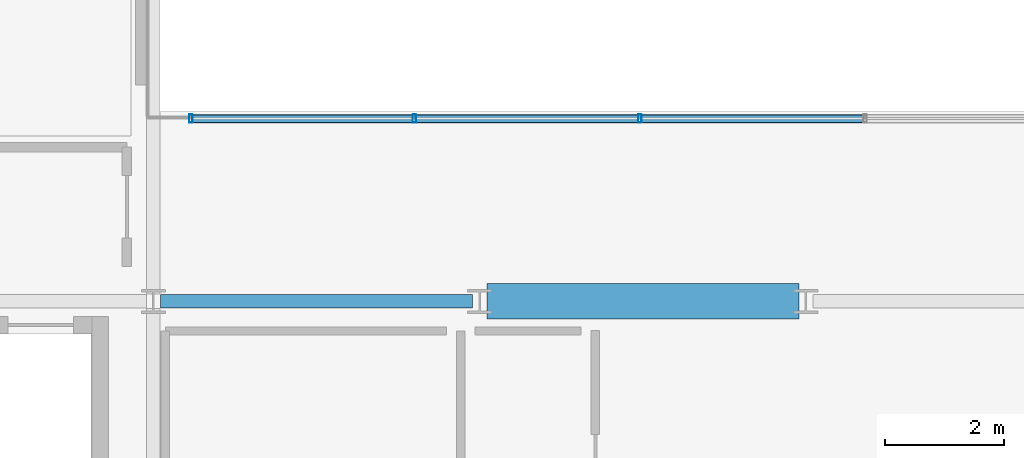
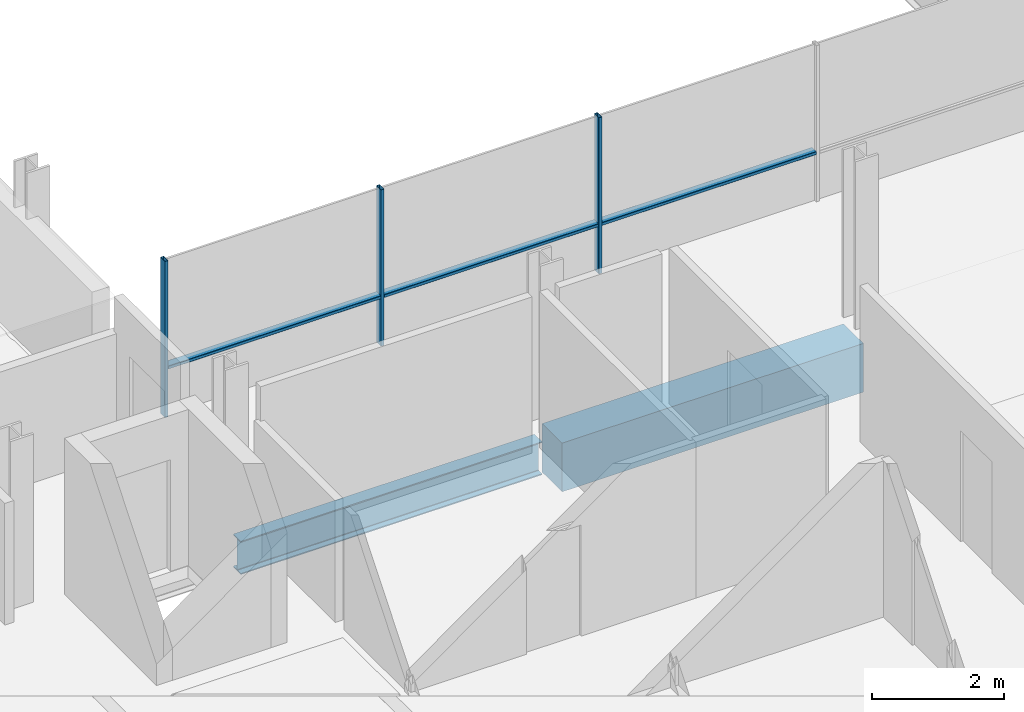
# One storey, part 6 of 41: 6 members, 2 beams, 1 element without a shape of its own.
"""IFC4 building model written with IfcOpenShell, lengths in metres."""

from ifc_helpers import new_model, si_unit, direction, frame, origin, origin_2d, place, context, subcontext, project, spatial, rectangle, hollow_rectangle, i_section, extrude, material, layer, layer_set, material_profile, profile_set, type_object, element, aggregate, save


model = new_model("IFC4")

# Units and contexts
model_context = context("Model", 3, precision=1e-05, world=origin(), true_north=direction((0.0, 1.0)))
body_context = subcontext(model_context, "Body", "Model", "MODEL_VIEW")
ifc_project = project(units=[si_unit("LENGTHUNIT", "METRE"), si_unit("AREAUNIT", "SQUARE_METRE"), si_unit("VOLUMEUNIT", "CUBIC_METRE"), si_unit("PLANEANGLEUNIT", "RADIAN"), si_unit("MASSUNIT", "GRAM", prefix="KILO")], contexts=[model_context])

# Site, building, storey
site_placement = place(None, origin())
site = spatial("IfcSite", under=ifc_project, at=site_placement, CompositionType="ELEMENT")
building_placement = place(site_placement, origin())
building = spatial("IfcBuilding", under=site, at=building_placement, Name="Brevholm Reach", CompositionType="ELEMENT")
storey_placement = place(building_placement, frame((0.0, 0.0, 144.89990234375)))
storey = spatial("IfcBuildingStorey", under=building, at=storey_placement, Name="L43", CompositionType="ELEMENT", Elevation=144.89990234375)

# Beams
ifc_material_1 = material(Name="Concrete C50/60", Category="concrete")
ifc_material_profile_1 = material_profile(ifc_material_1, rectangle(XDim=0.60009765625, YDim=0.89990234375, at=origin_2d()), Name="RC 600x900")
ifc_profile_set_1 = profile_set([ifc_material_profile_1], Name="Concrete C50/60")
beam_type_1 = type_object("IfcBeamType", Name="BM-CB600", PredefinedType="LINTEL", material=ifc_profile_set_1)
beam_1_placement = place(storey_placement, frame((27.3701171875, 10.0, -0.669921875), z_axis=(1.0, 0.0, 0.0), x_axis=(0.0, 1.0, 0.0)))
element("IfcBeam", 1, at=beam_1_placement, inside=storey, type_object=beam_type_1, Name="L43 CB-02 Framing Beam", PredefinedType="LINTEL", context=body_context, shape_type="SweptSolid", body=[
    extrude(rectangle(XDim=0.60009765625, YDim=0.89990234375, at=origin_2d()), origin(), (0.0, 0.0, 1.0), 5.259765625),
])
ifc_material_2 = material(Name="Structural Steel S355J2", Category="steel")
ifc_material_profile_2 = material_profile(ifc_material_2, i_section(OverallWidth=0.22900390625, OverallDepth=0.6123046875, WebThickness=0.011962890625, FlangeThickness=0.01953125, FilletRadius=0.0126953125, at=origin_2d()), Name="UKB 610x229x125")
ifc_profile_set_2 = profile_set([ifc_material_profile_2], Name="Structural Steel S355J2")
beam_type_2 = type_object("IfcBeamType", Name="BM-SP610", PredefinedType="SPANDREL", material=ifc_profile_set_2)
beam_2_placement = place(storey_placement, frame((21.8701171875, 10.0, -0.526123046875), z_axis=(1.0, 0.0, 0.0), x_axis=(0.0, 1.0, 0.0)))
element("IfcBeam", 2, at=beam_2_placement, inside=storey, type_object=beam_type_2, Name="L43 SP-01 Framing Beam", PredefinedType="SPANDREL", context=body_context, shape_type="SweptSolid", body=[
    extrude(i_section(OverallWidth=0.22900390625, OverallDepth=0.6123046875, WebThickness=0.011962890625, FlangeThickness=0.01953125, FilletRadius=0.0126953125, at=origin_2d()), origin(), (0.0, 0.0, 1.0), 5.259765625),
])

# Curtain wall, members
ifc_material_3 = material(Name="Dark Anodised Aluminium 6063-T6 and Solar-Control Glass", Category="aluminium")
ifc_layer = layer(ifc_material_3, 0.139892578125)
ifc_layer_set = layer_set([ifc_layer], Name="Dark Anodised Aluminium 6063-T6 and Solar-Control Glass")
curtain_wall_type = type_object("IfcCurtainWallType", Name="CW-02", PredefinedType="NOTDEFINED", material=ifc_layer_set)
curtain_wall_placement = place(storey_placement, origin())
curtain_wall = element("IfcCurtainWall", 3, at=curtain_wall_placement, inside=storey, type_object=curtain_wall_type, Name="L43 Curtain Wall CW-02", PredefinedType="NOTDEFINED")
ifc_material_4 = material(Name="Dark Anodised Aluminium 6063-T6", Category="aluminium")
ifc_material_profile_3 = material_profile(ifc_material_4, hollow_rectangle(XDim=0.06005859375, YDim=0.139892578125, WallThickness=0.0048828125, InnerFilletRadius=0.0048828125, OuterFilletRadius=0.010009765625, at=origin_2d()), Name="RHS 140x60x5")
ifc_profile_set_3 = profile_set([ifc_material_profile_3], Name="Dark Anodised Aluminium 6063-T6")
member_type_1 = type_object("IfcMemberType", Name="CWM-140", PredefinedType="MULLION", material=ifc_profile_set_3)
member_1_placement = place(storey_placement, frame((22.3798828125, 13.080078125, 0.0), z_axis=(0.0, 0.0, 1.0), x_axis=(1.0, 0.0, 0.0)))
member_1 = element("IfcMember", 4, at=member_1_placement, type_object=member_type_1, Name="CM-140 Mullion 1", PredefinedType="MULLION", context=body_context, shape_type="SweptSolid", body=[
    extrude(hollow_rectangle(XDim=0.06005859375, YDim=0.139892578125, WallThickness=0.0048828125, InnerFilletRadius=0.0048828125, OuterFilletRadius=0.010009765625, at=origin_2d()), origin(), (0.0, 0.0, 1.0), 2.880126953125),
])
member_2_placement = place(storey_placement, frame((26.14990234375, 13.080078125, 0.0), z_axis=(0.0, 0.0, 1.0), x_axis=(1.0, 0.0, 0.0)))
member_2 = element("IfcMember", 5, at=member_2_placement, type_object=member_type_1, Name="CM-140 Mullion 2", PredefinedType="MULLION", context=body_context, shape_type="SweptSolid", body=[
    extrude(hollow_rectangle(XDim=0.06005859375, YDim=0.139892578125, WallThickness=0.0048828125, InnerFilletRadius=0.0048828125, OuterFilletRadius=0.010009765625, at=origin_2d()), origin(), (0.0, 0.0, 1.0), 2.880126953125),
])
member_3_placement = place(storey_placement, frame((29.949951171875, 13.080078125, 0.0), z_axis=(0.0, 0.0, 1.0), x_axis=(1.0, 0.0, 0.0)))
member_3 = element("IfcMember", 6, at=member_3_placement, type_object=member_type_1, Name="CM-140 Mullion 3", PredefinedType="MULLION", context=body_context, shape_type="SweptSolid", body=[
    extrude(hollow_rectangle(XDim=0.06005859375, YDim=0.139892578125, WallThickness=0.0048828125, InnerFilletRadius=0.0048828125, OuterFilletRadius=0.010009765625, at=origin_2d()), origin(), (0.0, 0.0, 1.0), 2.880126953125),
])
ifc_material_5 = material(Name="Dark Anodised Aluminium 6063-T6", Category="aluminium")
ifc_material_profile_4 = material_profile(ifc_material_5, hollow_rectangle(XDim=0.06005859375, YDim=0.139892578125, WallThickness=0.0048828125, InnerFilletRadius=0.0048828125, OuterFilletRadius=0.010009765625, at=origin_2d()), Name="RHS 140x60x5")
ifc_profile_set_4 = profile_set([ifc_material_profile_4], Name="Dark Anodised Aluminium 6063-T6")
member_type_2 = type_object("IfcMemberType", Name="CWT-140", PredefinedType="NOTDEFINED", material=ifc_profile_set_4)
member_4_placement = place(storey_placement, frame((22.409912109375, 13.080078125, 0.900146484375), z_axis=(1.0, 0.0, 0.0), x_axis=(0.0, 0.0, 1.0)))
member_4 = element("IfcMember", 7, at=member_4_placement, type_object=member_type_2, Name="CT-140 Transom 1.1", ObjectType="TRANSOM", PredefinedType="USERDEFINED", context=body_context, shape_type="SweptSolid", body=[
    extrude(hollow_rectangle(XDim=0.06005859375, YDim=0.139892578125, WallThickness=0.0048828125, InnerFilletRadius=0.0048828125, OuterFilletRadius=0.010009765625, at=origin_2d()), origin(), (0.0, 0.0, 1.0), 3.710205078125),
])
member_5_placement = place(storey_placement, frame((26.179931640625, 13.080078125, 0.900146484375), z_axis=(1.0, 0.0, 0.0), x_axis=(0.0, 0.0, 1.0)))
member_5 = element("IfcMember", 8, at=member_5_placement, type_object=member_type_2, Name="CT-140 Transom 2.1", ObjectType="TRANSOM", PredefinedType="USERDEFINED", context=body_context, shape_type="SweptSolid", body=[
    extrude(hollow_rectangle(XDim=0.06005859375, YDim=0.139892578125, WallThickness=0.0048828125, InnerFilletRadius=0.0048828125, OuterFilletRadius=0.010009765625, at=origin_2d()), origin(), (0.0, 0.0, 1.0), 3.739990234375),
])
member_6_placement = place(storey_placement, frame((29.97998046875, 13.080078125, 0.900146484375), z_axis=(1.0, 0.0, 0.0), x_axis=(0.0, 0.0, 1.0)))
member_6 = element("IfcMember", 9, at=member_6_placement, type_object=member_type_2, Name="CT-140 Transom 3.1", ObjectType="TRANSOM", PredefinedType="USERDEFINED", context=body_context, shape_type="SweptSolid", body=[
    extrude(hollow_rectangle(XDim=0.06005859375, YDim=0.139892578125, WallThickness=0.0048828125, InnerFilletRadius=0.0048828125, OuterFilletRadius=0.010009765625, at=origin_2d()), origin(), (0.0, 0.0, 1.0), 3.739990234375),
])
aggregate(curtain_wall, [member_1, member_2, member_3, member_4, member_5, member_6])

save(model, "model.ifc")
